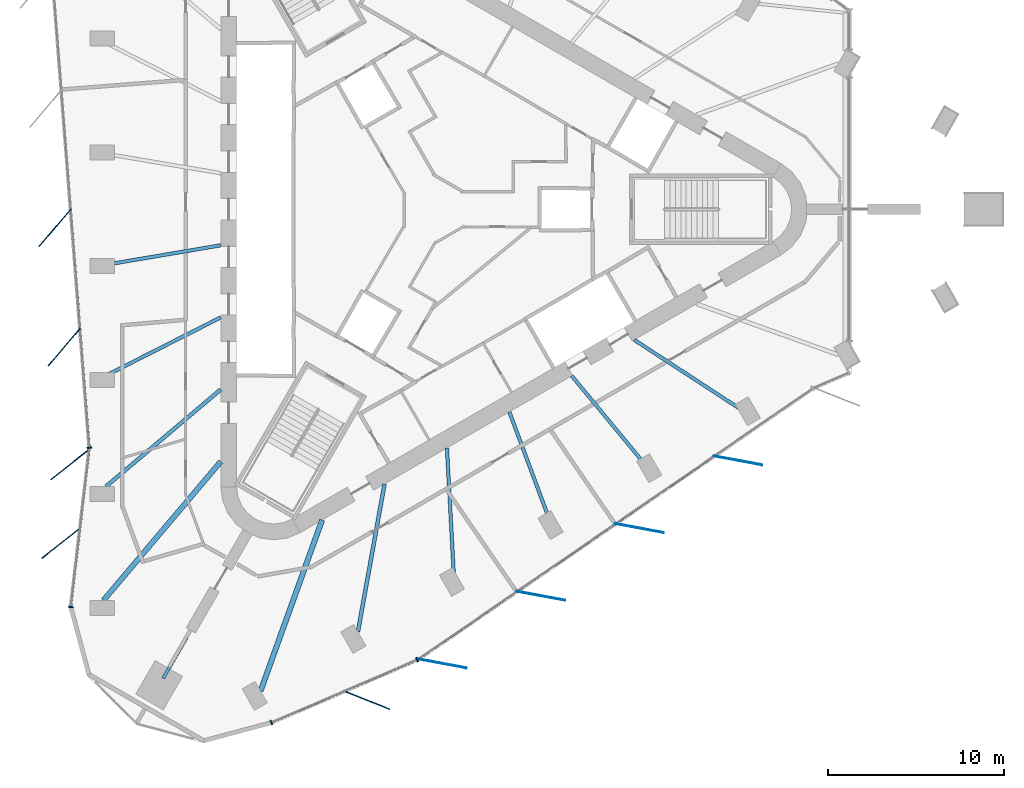
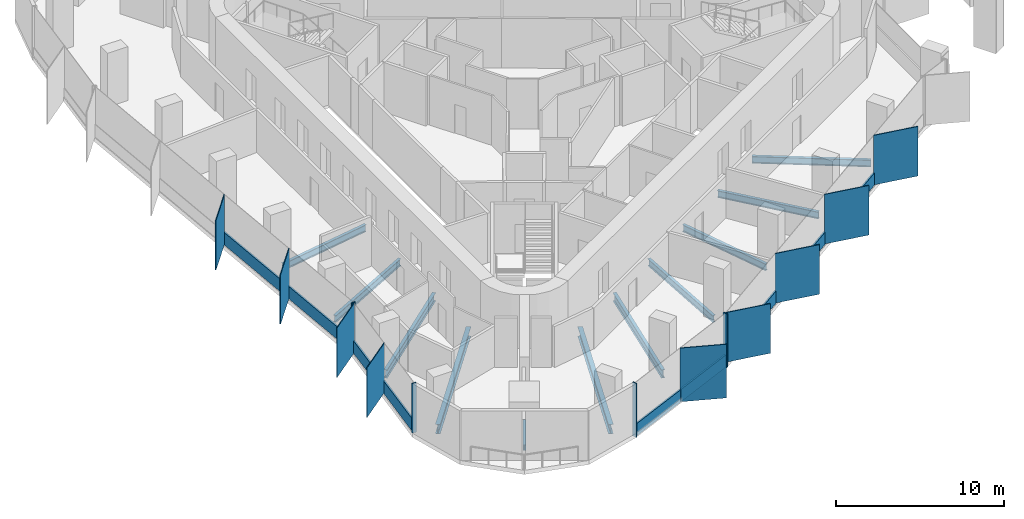
# One storey, part 2 of 12: 22 members, 11 beams, 4 elements without a shape of their own.
"""IFC4 building model written with IfcOpenShell, lengths in metres."""

from ifc_helpers import new_model, si_unit, direction, frame, origin, origin_2d, place, context, subcontext, project, spatial, rectangle, i_section, extrude, material, material_profile, profile_set, type_object, element, aggregate, save


model = new_model("IFC4")

# Units and contexts
model_context = context("Model", 3, precision=1e-05, world=origin(), true_north=direction((0.0, 1.0)))
body_context = subcontext(model_context, "Body", "Model", "MODEL_VIEW")
ifc_project = project(units=[si_unit("LENGTHUNIT", "METRE"), si_unit("AREAUNIT", "SQUARE_METRE"), si_unit("VOLUMEUNIT", "CUBIC_METRE"), si_unit("PLANEANGLEUNIT", "RADIAN"), si_unit("MASSUNIT", "GRAM", prefix="KILO")], contexts=[model_context])

# Site, building, storey
site_placement = place(None, origin())
site = spatial("IfcSite", under=ifc_project, at=site_placement, CompositionType="ELEMENT")
building_placement = place(site_placement, origin())
building = spatial("IfcBuilding", under=site, at=building_placement, Name="Tanit Gate Tower", CompositionType="ELEMENT")
storey_placement = place(building_placement, frame((0.0, 0.0, 380.60009765625)))
storey = spatial("IfcBuildingStorey", under=building, at=storey_placement, Name="L87", CompositionType="ELEMENT", Elevation=380.60009765625)

# Curtain wall, members
ifc_material_1 = material(Name="Aluminium bronze anodised and glass", Category="aluminium")
curtain_wall_type = type_object("IfcCurtainWallType", Name="Curtain wall typical high", PredefinedType="NOTDEFINED", material=ifc_material_1)
curtain_wall_1_placement = place(storey_placement, origin())
curtain_wall_1 = element("IfcCurtainWall", 1, at=curtain_wall_1_placement, inside=storey, type_object=curtain_wall_type, Name="Curtain wall L87 W2", PredefinedType="NOTDEFINED")
ifc_material_2 = material(Name="Aluminium bronze anodised", Category="aluminium")
ifc_material_profile_1 = material_profile(ifc_material_2, rectangle(XDim=2.800048828125, YDim=0.055908203125, at=origin_2d()), Name="56x2800 bronze fin mullion")
ifc_profile_set_1 = profile_set([ifc_material_profile_1], Name="Aluminium bronze anodised")
member_type_1 = type_object("IfcMemberType", Name="FIN MULLION 56x2800 bronze", PredefinedType="MULLION", material=ifc_profile_set_1)
member_1_placement = place(storey_placement, frame((-21.510498046875, -1.05126953125, 0.0), z_axis=(0.0, 0.0, 1.0), x_axis=(0.649921223903, 0.760001580735, 0.0)))
member_1 = element("IfcMember", 2, at=member_1_placement, type_object=member_type_1, Name="Fin mullion L87 W2.3", PredefinedType="MULLION", context=body_context, shape_type="SweptSolid", body=[
    extrude(rectangle(XDim=2.800048828125, YDim=0.055908203125, at=origin_2d()), origin(), (0.0, 0.0, 1.0), 3.599853515625),
])
member_2_placement = place(storey_placement, frame((-20.982177734375, -7.818359375, 0.0), z_axis=(0.0, 0.0, 1.0), x_axis=(0.649921223903, 0.760001580735, 0.0)))
member_2 = element("IfcMember", 3, at=member_2_placement, type_object=member_type_1, Name="Fin mullion L87 W2.4", PredefinedType="MULLION", context=body_context, shape_type="SweptSolid", body=[
    extrude(rectangle(XDim=2.800048828125, YDim=0.055908203125, at=origin_2d()), origin(), (0.0, 0.0, 1.0), 3.599853515625),
])

curtain_wall_2_placement = place(storey_placement, origin())
curtain_wall_2 = element("IfcCurtainWall", 4, at=curtain_wall_2_placement, inside=storey, type_object=curtain_wall_type, Name="Curtain wall L87 W3", PredefinedType="NOTDEFINED")
member_3_placement = place(storey_placement, frame((-20.64111328125, -14.47216796875, 0.0), z_axis=(0.0, 0.0, 1.0), x_axis=(0.784556334353, 0.620057544286, 0.0)))
member_3 = element("IfcMember", 5, at=member_3_placement, type_object=member_type_1, Name="Fin mullion L87 W3.1", PredefinedType="MULLION", context=body_context, shape_type="SweptSolid", body=[
    extrude(rectangle(XDim=2.800048828125, YDim=0.055908203125, at=origin_2d()), origin(), (0.0, 0.0, 1.0), 3.599853515625),
])
member_4_placement = place(storey_placement, frame((-21.165771484375, -18.951416015625, 0.0), z_axis=(0.0, 0.0, 1.0), x_axis=(0.784556334353, 0.620057544286, 0.0)))
member_4 = element("IfcMember", 6, at=member_4_placement, type_object=member_type_1, Name="Fin mullion L87 W3.2", PredefinedType="MULLION", context=body_context, shape_type="SweptSolid", body=[
    extrude(rectangle(XDim=2.800048828125, YDim=0.055908203125, at=origin_2d()), origin(), (0.0, 0.0, 1.0), 3.599853515625),
])

# Curtain wall, member
curtain_wall_3_placement = place(storey_placement, origin())
curtain_wall_3 = element("IfcCurtainWall", 7, at=curtain_wall_3_placement, inside=storey, type_object=curtain_wall_type, Name="Curtain wall L87 SE1", PredefinedType="NOTDEFINED")
member_5_placement = place(storey_placement, frame((-3.80859375, -27.86474609375, -0.300048828125), z_axis=(0.0, 0.0, 1.0), x_axis=(-0.929263752337, 0.369416944107, 0.0)))
member_5 = element("IfcMember", 8, at=member_5_placement, type_object=member_type_1, Name="Fin mullion L87 SE1.2", PredefinedType="MULLION", context=body_context, shape_type="SweptSolid", body=[
    extrude(rectangle(XDim=2.800048828125, YDim=0.055908203125, at=origin_2d()), origin(), (0.0, 0.0, 1.0), 3.89990234375),
])

# Curtain wall, members
curtain_wall_4_placement = place(storey_placement, origin())
curtain_wall_4 = element("IfcCurtainWall", 9, at=curtain_wall_4_placement, inside=storey, type_object=curtain_wall_type, Name="Curtain wall L87 SE2", PredefinedType="NOTDEFINED")
member_6_placement = place(storey_placement, frame((0.472900390625, -25.78515625, 0.0), z_axis=(0.0, 0.0, 1.0), x_axis=(-0.983141287785, 0.182847499991, 0.0)))
member_6 = element("IfcMember", 10, at=member_6_placement, type_object=member_type_1, Name="Fin mullion L87 SE2.1", PredefinedType="MULLION", context=body_context, shape_type="SweptSolid", body=[
    extrude(rectangle(XDim=2.800048828125, YDim=0.055908203125, at=origin_2d()), origin(), (0.0, 0.0, 1.0), 3.599853515625),
])
member_7_placement = place(storey_placement, frame((6.0693359375, -21.944091796875, 0.0), z_axis=(0.0, 0.0, 1.0), x_axis=(-0.983141287785, 0.182847499991, 0.0)))
member_7 = element("IfcMember", 11, at=member_7_placement, type_object=member_type_1, Name="Fin mullion L87 SE2.2", PredefinedType="MULLION", context=body_context, shape_type="SweptSolid", body=[
    extrude(rectangle(XDim=2.800048828125, YDim=0.055908203125, at=origin_2d()), origin(), (0.0, 0.0, 1.0), 3.599853515625),
])
member_8_placement = place(storey_placement, frame((11.665771484375, -18.10302734375, 0.0), z_axis=(0.0, 0.0, 1.0), x_axis=(-0.983141287785, 0.182847499991, 0.0)))
member_8 = element("IfcMember", 12, at=member_8_placement, type_object=member_type_1, Name="Fin mullion L87 SE2.3", PredefinedType="MULLION", context=body_context, shape_type="SweptSolid", body=[
    extrude(rectangle(XDim=2.800048828125, YDim=0.055908203125, at=origin_2d()), origin(), (0.0, 0.0, 1.0), 3.599853515625),
])
member_9_placement = place(storey_placement, frame((17.261962890625, -14.26171875, 0.0), z_axis=(0.0, 0.0, 1.0), x_axis=(-0.983141287785, 0.182847499991, 0.0)))
member_9 = element("IfcMember", 13, at=member_9_placement, type_object=member_type_1, Name="Fin mullion L87 SE2.4", PredefinedType="MULLION", context=body_context, shape_type="SweptSolid", body=[
    extrude(rectangle(XDim=2.800048828125, YDim=0.055908203125, at=origin_2d()), origin(), (0.0, 0.0, 1.0), 3.599853515625),
])

# Member
ifc_material_3 = material(Name="Aluminium bronze anodised", Category="aluminium")
ifc_material_profile_2 = material_profile(ifc_material_3, rectangle(XDim=0.280029296875, YDim=0.080078125, at=origin_2d()), Name="80x280 bronze mullion")
ifc_profile_set_2 = profile_set([ifc_material_profile_2], Name="Aluminium bronze anodised")
member_type_2 = type_object("IfcMemberType", Name="Mullion 80x280 typical high", PredefinedType="MULLION", material=ifc_profile_set_2)
member_10_placement = place(storey_placement, frame((-19.556640625, -13.53662109375, 0.0), z_axis=(0.0, 0.0, 1.0), x_axis=(0.996965976109, 0.077838566791, 0.0)))
member_10 = element("IfcMember", 14, at=member_10_placement, type_object=member_type_2, Name="Mullion L87 W2.5", PredefinedType="MULLION", context=body_context, shape_type="SweptSolid", body=[
    extrude(rectangle(XDim=0.280029296875, YDim=0.080078125, at=origin_2d()), origin(), (0.0, 0.0, 1.0), 3.599853515625),
])

member_11_placement = place(storey_placement, frame((-20.607421875, -22.574951171875, 0.0), z_axis=(0.0, 0.0, 1.0), x_axis=(0.993211998535, -0.116318209953, 0.0)))
member_11 = element("IfcMember", 15, at=member_11_placement, type_object=member_type_2, Name="Mullion L87 W3.3", PredefinedType="MULLION", context=body_context, shape_type="SweptSolid", body=[
    extrude(rectangle(XDim=0.280029296875, YDim=0.080078125, at=origin_2d()), origin(), (0.0, 0.0, 1.0), 3.599853515625),
])

member_12_placement = place(storey_placement, frame((-9.228515625, -29.138427734375, -0.300048828125), z_axis=(0.0, 0.0, 1.0), x_axis=(-0.395871474525, 0.918305927051, 0.0)))
member_12 = element("IfcMember", 16, at=member_12_placement, type_object=member_type_2, Name="Mullion L87 SE1.1", PredefinedType="MULLION", context=body_context, shape_type="SweptSolid", body=[
    extrude(rectangle(XDim=0.280029296875, YDim=0.080078125, at=origin_2d()), origin(), (0.0, 0.0, 1.0), 3.89990234375),
])

member_13_placement = place(storey_placement, frame((-0.95361328125, -25.5712890625, -0.300048828125), z_axis=(0.0, 0.0, 1.0), x_axis=(-0.395871474525, 0.918305927051, 0.0)))
member_13 = element("IfcMember", 17, at=member_13_placement, type_object=member_type_2, Name="Mullion L87 SE1.3", PredefinedType="MULLION", context=body_context, shape_type="SweptSolid", body=[
    extrude(rectangle(XDim=0.280029296875, YDim=0.080078125, at=origin_2d()), origin(), (0.0, 0.0, 1.0), 3.89990234375),
])

# Beams
ifc_material_4 = material(Name="Steel S355", Category="steel")
ifc_material_profile_3 = material_profile(ifc_material_4, i_section(OverallWidth=0.300048828125, OverallDepth=0.68994140625, WebThickness=0.014404296875, FlangeThickness=0.027099609375, FilletRadius=0.027099609375, at=origin_2d()), Name="HEA 700")
ifc_profile_set_3 = profile_set([ifc_material_profile_3], Name="Steel S355")
beam_type_1 = type_object("IfcBeamType", Name="RADIAL GIRDER HEA 700 S355", PredefinedType="BEAM", material=ifc_profile_set_3)
beam_1_placement = place(storey_placement, frame((-18.7607421875, -22.198486328125, -0.64501953125), z_axis=(0.645485929832, 0.763772161308, 0.0), x_axis=(-0.763772161308, 0.645485929832, 0.0)))
element("IfcBeam", 18, at=beam_1_placement, inside=storey, type_object=beam_type_1, Name="RADIAL GIRDER", PredefinedType="BEAM", context=body_context, shape_type="SweptSolid", body=[
    extrude(i_section(OverallWidth=0.300048828125, OverallDepth=0.68994140625, WebThickness=0.014404296875, FlangeThickness=0.027099609375, FilletRadius=0.027099609375, at=origin_2d()), origin(), (0.0, 0.0, 1.0), 10.315673828125),
])
beam_2_placement = place(storey_placement, frame((-9.84423828125, -27.346435546875, -0.64501953125), z_axis=(0.338716116064, 0.940888618657, 0.0), x_axis=(-0.940888618657, 0.338716116064, 0.0)))
element("IfcBeam", 19, at=beam_2_placement, inside=storey, type_object=beam_type_1, Name="RADIAL GIRDER", PredefinedType="BEAM", context=body_context, shape_type="SweptSolid", body=[
    extrude(i_section(OverallWidth=0.300048828125, OverallDepth=0.68994140625, WebThickness=0.014404296875, FlangeThickness=0.027099609375, FilletRadius=0.027099609375, at=origin_2d()), origin(), (0.0, 0.0, 1.0), 10.31591796875),
])
ifc_material_5 = material(Name="Steel S355", Category="steel")
ifc_material_profile_4 = material_profile(ifc_material_5, i_section(OverallWidth=0.179931640625, OverallDepth=0.39990234375, WebThickness=0.008544921875, FlangeThickness=0.013427734375, FilletRadius=0.02099609375, at=origin_2d()), Name="IPE 400")
ifc_profile_set_4 = profile_set([ifc_material_profile_4], Name="Steel S355")
beam_type_2 = type_object("IfcBeamType", Name="RADIAL GIRDER IPE 400 S355", PredefinedType="BEAM", material=ifc_profile_set_4)
beam_3_placement = place(storey_placement, frame((-15.371826171875, -26.624755859375, -0.5), z_axis=(0.500020336772, 0.866013662025, 0.0), x_axis=(-0.866013662025, 0.500020336772, 0.0)))
element("IfcBeam", 20, at=beam_3_placement, inside=storey, type_object=beam_type_2, Name="RADIAL GIRDER", PredefinedType="BEAM", context=body_context, shape_type="SweptSolid", body=[
    extrude(i_section(OverallWidth=0.179931640625, OverallDepth=0.39990234375, WebThickness=0.008544921875, FlangeThickness=0.013427734375, FilletRadius=0.02099609375, at=origin_2d()), origin(), (0.0, 0.0, 1.0), 2.67236328125),
])
ifc_material_6 = material(Name="Steel S355", Category="steel")
ifc_material_profile_5 = material_profile(ifc_material_6, i_section(OverallWidth=0.199951171875, OverallDepth=0.5, WebThickness=0.01025390625, FlangeThickness=0.01611328125, FilletRadius=0.02099609375, at=origin_2d()), Name="IPE 500")
ifc_profile_set_5 = profile_set([ifc_material_profile_5], Name="Steel S355")
beam_type_3 = type_object("IfcBeamType", Name="RADIAL GIRDER IPE 500 S355", PredefinedType="BEAM", material=ifc_profile_set_5)
beam_4_placement = place(storey_placement, frame((-18.419921875, -3.113525390625, -0.550048828125), z_axis=(0.986014426504, 0.166659985375, 0.0), x_axis=(-0.166659985375, 0.986014426504, 0.0)))
element("IfcBeam", 21, at=beam_4_placement, inside=storey, type_object=beam_type_3, Name="RADIAL GIRDER", PredefinedType="BEAM", context=body_context, shape_type="SweptSolid", body=[
    extrude(i_section(OverallWidth=0.199951171875, OverallDepth=0.5, WebThickness=0.01025390625, FlangeThickness=0.01611328125, FilletRadius=0.02099609375, at=origin_2d()), origin(), (0.0, 0.0, 1.0), 6.407470703125),
])
beam_5_placement = place(storey_placement, frame((-18.419921875, -9.3408203125, -0.550048828125), z_axis=(0.891876205065, 0.452279598078, 0.0), x_axis=(-0.452279598078, 0.891876205065, 0.0)))
element("IfcBeam", 22, at=beam_5_placement, inside=storey, type_object=beam_type_3, Name="RADIAL GIRDER", PredefinedType="BEAM", context=body_context, shape_type="SweptSolid", body=[
    extrude(i_section(OverallWidth=0.199951171875, OverallDepth=0.5, WebThickness=0.01025390625, FlangeThickness=0.01611328125, FilletRadius=0.02099609375, at=origin_2d()), origin(), (0.0, 0.0, 1.0), 7.083740234375),
])
beam_6_placement = place(storey_placement, frame((1.12060546875, -20.62255859375, -0.550048828125), z_axis=(-0.054280812933, 0.998525709908, 0.0), x_axis=(-0.998525709908, -0.054280812933, 0.0)))
element("IfcBeam", 23, at=beam_6_placement, inside=storey, type_object=beam_type_3, Name="RADIAL GIRDER", PredefinedType="BEAM", context=body_context, shape_type="SweptSolid", body=[
    extrude(i_section(OverallWidth=0.199951171875, OverallDepth=0.5, WebThickness=0.01025390625, FlangeThickness=0.01611328125, FilletRadius=0.02099609375, at=origin_2d()), origin(), (0.0, 0.0, 1.0), 7.083984375),
])
beam_7_placement = place(storey_placement, frame((6.513427734375, -17.5087890625, -0.550048828125), z_axis=(-0.348675335888, 0.93724357034, 0.0), x_axis=(-0.93724357034, -0.348675335888, 0.0)))
element("IfcBeam", 24, at=beam_7_placement, inside=storey, type_object=beam_type_3, Name="RADIAL GIRDER", PredefinedType="BEAM", context=body_context, shape_type="SweptSolid", body=[
    extrude(i_section(OverallWidth=0.199951171875, OverallDepth=0.5, WebThickness=0.01025390625, FlangeThickness=0.01611328125, FilletRadius=0.02099609375, at=origin_2d()), origin(), (0.0, 0.0, 1.0), 6.407470703125),
])
beam_8_placement = place(storey_placement, frame((11.906494140625, -14.395263671875, -0.550048828125), z_axis=(-0.637361830259, 0.770564661355, 0.0), x_axis=(-0.770564661355, -0.637361830259, 0.0)))
element("IfcBeam", 25, at=beam_8_placement, inside=storey, type_object=beam_type_3, Name="RADIAL GIRDER", PredefinedType="BEAM", context=body_context, shape_type="SweptSolid", body=[
    extrude(i_section(OverallWidth=0.199951171875, OverallDepth=0.5, WebThickness=0.01025390625, FlangeThickness=0.01611328125, FilletRadius=0.02099609375, at=origin_2d()), origin(), (0.0, 0.0, 1.0), 6.40771484375),
])
beam_9_placement = place(storey_placement, frame((17.29931640625, -11.28173828125, -0.550048828125), z_axis=(-0.837617453042, 0.546257267557, 0.0), x_axis=(-0.546257267557, -0.837617453042, 0.0)))
element("IfcBeam", 26, at=beam_9_placement, inside=storey, type_object=beam_type_3, Name="RADIAL GIRDER", PredefinedType="BEAM", context=body_context, shape_type="SweptSolid", body=[
    extrude(i_section(OverallWidth=0.199951171875, OverallDepth=0.5, WebThickness=0.01025390625, FlangeThickness=0.01611328125, FilletRadius=0.02099609375, at=origin_2d()), origin(), (0.0, 0.0, 1.0), 7.083984375),
])
ifc_material_7 = material(Name="Steel S355", Category="steel")
ifc_material_profile_6 = material_profile(ifc_material_7, i_section(OverallWidth=0.219970703125, OverallDepth=0.60009765625, WebThickness=0.011962890625, FlangeThickness=0.01904296875, FilletRadius=0.02392578125, at=origin_2d()), Name="IPE 600")
ifc_profile_set_6 = profile_set([ifc_material_profile_6], Name="Steel S355")
beam_type_4 = type_object("IfcBeamType", Name="RADIAL GIRDER IPE 600 S355", PredefinedType="BEAM", material=ifc_profile_set_6)
beam_10_placement = place(storey_placement, frame((-18.616943359375, -15.734619140625, -0.60009765625), z_axis=(0.763747676896, 0.645514899933, 0.0), x_axis=(-0.645514899933, 0.763747676896, 0.0)))
element("IfcBeam", 27, at=beam_10_placement, inside=storey, type_object=beam_type_4, Name="RADIAL GIRDER", PredefinedType="BEAM", context=body_context, shape_type="SweptSolid", body=[
    extrude(i_section(OverallWidth=0.219970703125, OverallDepth=0.60009765625, WebThickness=0.011962890625, FlangeThickness=0.01904296875, FilletRadius=0.02392578125, at=origin_2d()), origin(), (0.0, 0.0, 1.0), 8.5302734375),
])
beam_11_placement = place(storey_placement, frame((-4.318115234375, -23.990234375, -0.60009765625), z_axis=(0.177157433794, 0.984182525577, 0.0), x_axis=(-0.984182525577, 0.177157433794, 0.0)))
element("IfcBeam", 28, at=beam_11_placement, inside=storey, type_object=beam_type_4, Name="RADIAL GIRDER", PredefinedType="BEAM", context=body_context, shape_type="SweptSolid", body=[
    extrude(i_section(OverallWidth=0.219970703125, OverallDepth=0.60009765625, WebThickness=0.011962890625, FlangeThickness=0.01904296875, FilletRadius=0.02392578125, at=origin_2d()), origin(), (0.0, 0.0, 1.0), 8.530517578125),
])

# Member
ifc_material_8 = material(Name="Aluminium bronze anodised", Category="aluminium")
ifc_material_profile_7 = material_profile(ifc_material_8, rectangle(XDim=0.1201171875, YDim=0.89990234375, at=origin_2d()), Name="120x900 bronze transom")
ifc_profile_set_7 = profile_set([ifc_material_profile_7], Name="Aluminium bronze anodised")
member_type_3 = type_object("IfcMemberType", Name="Transom 120x900 typical high", PredefinedType="USERDEFINED", material=ifc_profile_set_7)
member_14_placement = place(storey_placement, frame((-20.6103515625, -0.042236328125, 0.449951171875), z_axis=(0.077854316831, -0.996964746293, 0.0), x_axis=(0.996964746293, 0.077854316831, 0.0)))
member_14 = element("IfcMember", 29, at=member_14_placement, type_object=member_type_3, Name="Transom L87 W2.3", ObjectType="TRANSOM", PredefinedType="USERDEFINED", context=body_context, shape_type="SweptSolid", body=[
    extrude(rectangle(XDim=0.1201171875, YDim=0.89990234375, at=origin_2d()), origin(), (0.0, 0.0, 1.0), 6.70751953125),
])

member_15_placement = place(storey_placement, frame((-20.08203125, -6.809326171875, 0.449951171875), z_axis=(0.077851491829, -0.996964966897, 0.0), x_axis=(0.996964966897, 0.077851491829, 0.0)))
member_15 = element("IfcMember", 30, at=member_15_placement, type_object=member_type_3, Name="Transom L87 W2.4", ObjectType="TRANSOM", PredefinedType="USERDEFINED", context=body_context, shape_type="SweptSolid", body=[
    extrude(rectangle(XDim=0.1201171875, YDim=0.89990234375, at=origin_2d()), origin(), (0.0, 0.0, 1.0), 6.707763671875),
])

aggregate(curtain_wall_1, [member_1, member_2, member_10, member_14, member_15])

member_16_placement = place(storey_placement, frame((-19.56298828125, -13.656005859375, 0.449951171875), z_axis=(-0.116284849592, -0.993215904905, 0.0), x_axis=(0.993215904905, -0.116284849592, 0.0)))
member_16 = element("IfcMember", 31, at=member_16_placement, type_object=member_type_3, Name="Transom L87 W3.1", ObjectType="TRANSOM", PredefinedType="USERDEFINED", context=body_context, shape_type="SweptSolid", body=[
    extrude(rectangle(XDim=0.1201171875, YDim=0.89990234375, at=origin_2d()), origin(), (0.0, 0.0, 1.0), 4.429931640625),
])

member_17_placement = place(storey_placement, frame((-20.08740234375, -18.13525390625, 0.449951171875), z_axis=(-0.116332847467, -0.99321028418, 0.0), x_axis=(0.99321028418, -0.116332847467, 0.0)))
member_17 = element("IfcMember", 32, at=member_17_placement, type_object=member_type_3, Name="Transom L87 W3.2", ObjectType="TRANSOM", PredefinedType="USERDEFINED", context=body_context, shape_type="SweptSolid", body=[
    extrude(rectangle(XDim=0.1201171875, YDim=0.89990234375, at=origin_2d()), origin(), (0.0, 0.0, 1.0), 4.43017578125),
])

aggregate(curtain_wall_2, [member_3, member_4, member_11, member_16, member_17])

member_18_placement = place(storey_placement, frame((-9.191650390625, -29.12255859375, 0.14990234375), z_axis=(0.918315441962, 0.395849401987, 0.0), x_axis=(-0.395849401987, 0.918315441962, 0.0)))
member_18 = element("IfcMember", 33, at=member_18_placement, type_object=member_type_3, Name="Transom L87 SE1.1", ObjectType="TRANSOM", PredefinedType="USERDEFINED", context=body_context, shape_type="SweptSolid", body=[
    extrude(rectangle(XDim=0.1201171875, YDim=0.89990234375, at=origin_2d()), origin(), (0.0, 0.0, 1.0), 4.42529296875),
])

member_19_placement = place(storey_placement, frame((-5.054443359375, -27.339111328125, 0.14990234375), z_axis=(0.918304032132, 0.395875870154, 0.0), x_axis=(-0.395875870154, 0.918304032132, 0.0)))
member_19 = element("IfcMember", 34, at=member_19_placement, type_object=member_type_3, Name="Transom L87 SE1.2", ObjectType="TRANSOM", PredefinedType="USERDEFINED", context=body_context, shape_type="SweptSolid", body=[
    extrude(rectangle(XDim=0.1201171875, YDim=0.89990234375, at=origin_2d()), origin(), (0.0, 0.0, 1.0), 4.425537109375),
])

aggregate(curtain_wall_3, [member_12, member_5, member_13, member_18, member_19])

member_20_placement = place(storey_placement, frame((-0.85107421875, -25.51025390625, 0.449951171875), z_axis=(0.824482387079, 0.565887615517, 0.0), x_axis=(-0.565887615517, 0.824482387079, 0.0)))
member_20 = element("IfcMember", 35, at=member_20_placement, type_object=member_type_3, Name="Transom L87 SE2.1", ObjectType="TRANSOM", PredefinedType="USERDEFINED", context=body_context, shape_type="SweptSolid", body=[
    extrude(rectangle(XDim=0.1201171875, YDim=0.89990234375, at=origin_2d()), origin(), (0.0, 0.0, 1.0), 6.707763671875),
])

member_21_placement = place(storey_placement, frame((4.745361328125, -21.669189453125, 0.449951171875), z_axis=(0.824482387079, 0.565887615517, 0.0), x_axis=(-0.565887615517, 0.824482387079, 0.0)))
member_21 = element("IfcMember", 36, at=member_21_placement, type_object=member_type_3, Name="Transom L87 SE2.2", ObjectType="TRANSOM", PredefinedType="USERDEFINED", context=body_context, shape_type="SweptSolid", body=[
    extrude(rectangle(XDim=0.1201171875, YDim=0.89990234375, at=origin_2d()), origin(), (0.0, 0.0, 1.0), 6.707763671875),
])

member_22_placement = place(storey_placement, frame((10.341796875, -17.827880859375, 0.449951171875), z_axis=(0.824487713367, 0.565879855188, 0.0), x_axis=(-0.565879855188, 0.824487713367, 0.0)))
member_22 = element("IfcMember", 37, at=member_22_placement, type_object=member_type_3, Name="Transom L87 SE2.3", ObjectType="TRANSOM", PredefinedType="USERDEFINED", context=body_context, shape_type="SweptSolid", body=[
    extrude(rectangle(XDim=0.1201171875, YDim=0.89990234375, at=origin_2d()), origin(), (0.0, 0.0, 1.0), 6.70751953125),
])

aggregate(curtain_wall_4, [member_6, member_7, member_8, member_9, member_20, member_21, member_22])

save(model, "model.ifc")
